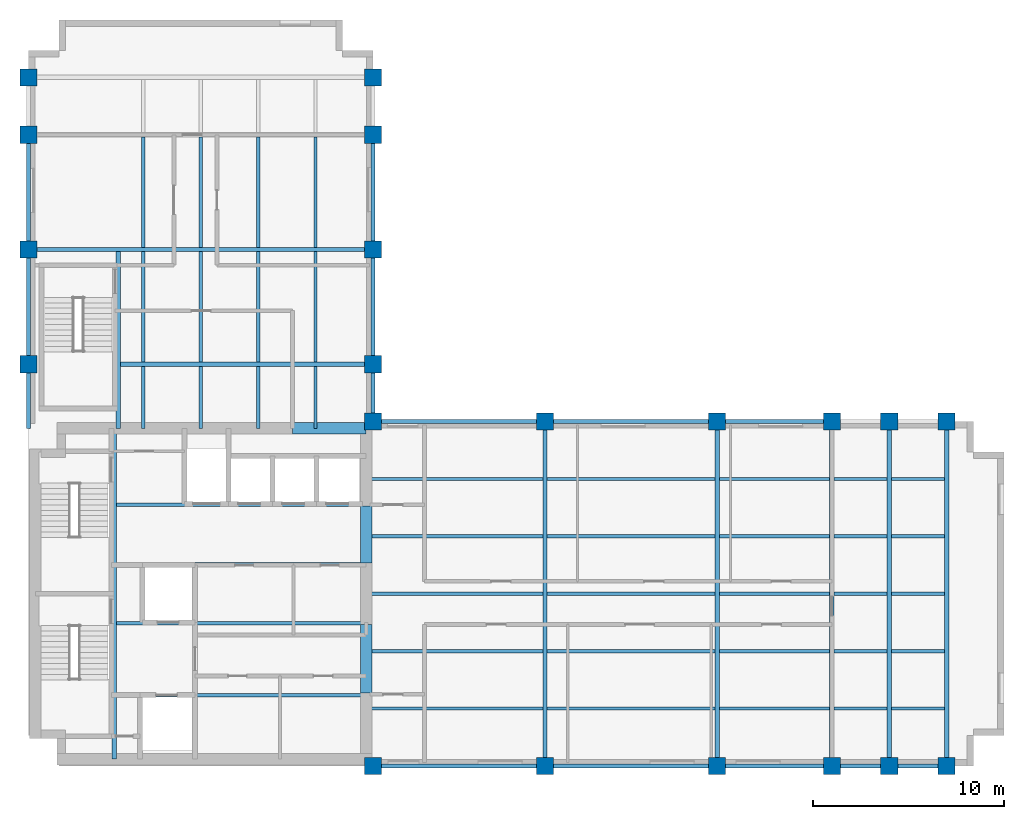
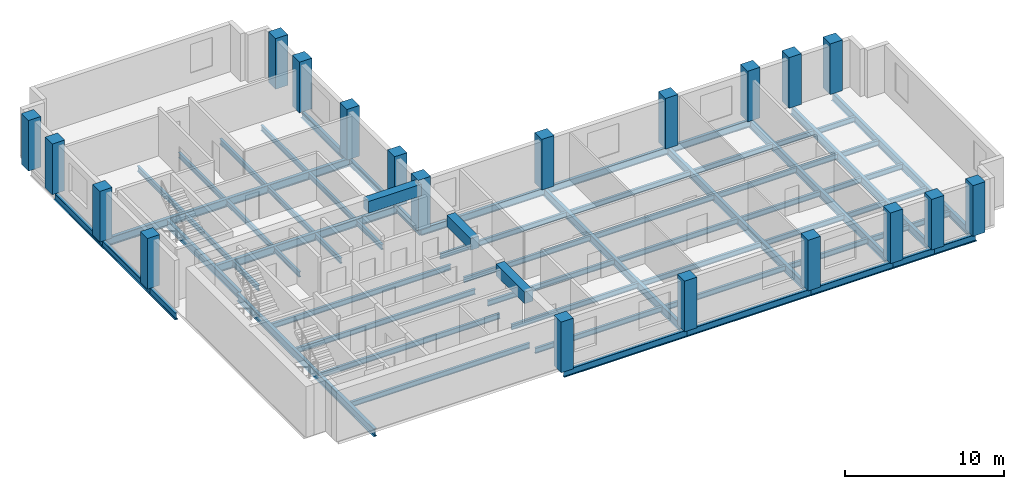
# One storey, part 1 of 6: 67 beams, 20 columns.
"""IFC4 building model written with IfcOpenShell, lengths in metres."""

from ifc_helpers import new_model, si_unit, direction, frame, origin, origin_2d, place, context, subcontext, project, spatial, rectangle, i_section, extrude, material, material_profile, profile_set, type_object, element, save


model = new_model("IFC4")

# Units and contexts
model_context = context("Model", 3, precision=1e-05, world=origin(), true_north=direction((0.0, 1.0)))
body_context = subcontext(model_context, "Body", "Model", "MODEL_VIEW")
ifc_project = project(units=[si_unit("LENGTHUNIT", "METRE"), si_unit("AREAUNIT", "SQUARE_METRE"), si_unit("VOLUMEUNIT", "CUBIC_METRE"), si_unit("PLANEANGLEUNIT", "RADIAN"), si_unit("MASSUNIT", "GRAM", prefix="KILO")], contexts=[model_context])

# Site, building, storey
site_placement = place(None, origin())
site = spatial("IfcSite", under=ifc_project, at=site_placement, CompositionType="ELEMENT")
building_placement = place(site_placement, origin())
building = spatial("IfcBuilding", under=site, at=building_placement, Name="Mawjdan Bourse Tower", CompositionType="ELEMENT")
storey_placement = place(building_placement, frame((0.0, 0.0, 219.0)))
storey = spatial("IfcBuildingStorey", under=building, at=storey_placement, Name="L53", CompositionType="ELEMENT", Elevation=219.0)

# Columns
ifc_material_1 = material(Name="Concrete C70/85", Category="concrete")
ifc_material_profile_1 = material_profile(ifc_material_1, rectangle(XDim=0.89990234375, YDim=0.89990234375, at=origin_2d()), Name="RC900X900")
ifc_profile_set_1 = profile_set([ifc_material_profile_1], Name="Concrete C70/85")
column_type = type_object("IfcColumnType", Name="COL-RC900X900", PredefinedType="COLUMN", material=ifc_profile_set_1)
for number, where, z_axis, x_axis, name in (
    (1, (24.0, 3.0, 0.0), (0.0, 0.0, 1.0), (1.0, 0.0, 0.0), "L53 Structural Column C-X240-Y30"),
    (2, (24.0, 21.0, 0.0), (0.0, 0.0, 1.0), (1.0, 0.0, 0.0), "L53 Structural Column C-X240-Y210"),
    (3, (33.0, 3.0, 0.0), (0.0, 0.0, 1.0), (1.0, 0.0, 0.0), "L53 Structural Column C-X330-Y30"),
    (4, (33.0, 21.0, 0.0), (0.0, 0.0, 1.0), (1.0, 0.0, 0.0), "L53 Structural Column C-X330-Y210"),
    (5, (42.0, 3.0, 0.0), (0.0, 0.0, 1.0), (1.0, 0.0, 0.0), "L53 Structural Column C-X420-Y30"),
    (6, (42.0, 21.0, 0.0), (0.0, 0.0, 1.0), (1.0, 0.0, 0.0), "L53 Structural Column C-X420-Y210"),
    (7, (48.0, 3.0, 0.0), (0.0, 0.0, 1.0), (1.0, 0.0, 0.0), "L53 Structural Column C-X480-Y30"),
    (8, (48.0, 21.0, 0.0), (0.0, 0.0, 1.0), (1.0, 0.0, 0.0), "L53 Structural Column C-X480-Y210"),
    (9, (51.0, 3.0, 0.0), (0.0, 0.0, 1.0), (1.0, 0.0, 0.0), "L53 Structural Column C-X510-Y30"),
    (10, (51.0, 21.0, 0.0), (0.0, 0.0, 1.0), (1.0, 0.0, 0.0), "L53 Structural Column C-X510-Y210"),
    (11, (54.0, 3.0, 0.0), (0.0, 0.0, 1.0), (1.0, 0.0, 0.0), "L53 Structural Column C-X540-Y30"),
    (12, (54.0, 21.0, 0.0), (0.0, 0.0, 1.0), (1.0, 0.0, 0.0), "L53 Structural Column C-X540-Y210"),
    (13, (6.0, 24.0, 0.0), (0.0, 0.0, 1.0), (1.0, 0.0, 0.0), "L53 Structural Column C-X60-Y240"),
    (14, (24.0, 24.0, 0.0), (0.0, 0.0, 1.0), (1.0, 0.0, 0.0), "L53 Structural Column C-X240-Y240"),
    (15, (6.0, 30.0, 0.0), (0.0, 0.0, 1.0), (1.0, 0.0, 0.0), "L53 Structural Column C-X60-Y300"),
    (16, (24.0, 30.0, 0.0), (0.0, 0.0, 1.0), (1.0, 0.0, 0.0), "L53 Structural Column C-X240-Y300"),
    (17, (6.0, 36.0, 0.0), (0.0, 0.0, 1.0), (1.0, 0.0, 0.0), "L53 Structural Column C-X60-Y360"),
    (18, (24.0, 36.0, 0.0), (0.0, 0.0, 1.0), (1.0, 0.0, 0.0), "L53 Structural Column C-X240-Y360"),
    (19, (6.0, 39.0, 0.0), (0.0, 0.0, 1.0), (1.0, 0.0, 0.0), "L53 Structural Column C-X60-Y390"),
    (20, (24.0, 39.0, 0.0), (0.0, 0.0, 1.0), (1.0, 0.0, 0.0), "L53 Structural Column C-X240-Y390"),
):
    element("IfcColumn", number, at=place(storey_placement, frame(where, z_axis=z_axis, x_axis=x_axis)), inside=storey, type_object=column_type, Name=name, PredefinedType="COLUMN", context=body_context, shape_type="SweptSolid", body=[
        extrude(rectangle(XDim=0.89990234375, YDim=0.89990234375, at=origin_2d()), origin(), (0.0, 0.0, 1.0), 3.89990234375),
    ])

# Beams
ifc_material_2 = material(Name="Structural Steel S355", Category="steel")
ifc_material_profile_2 = material_profile(ifc_material_2, i_section(OverallWidth=0.22998046875, OverallDepth=0.616943359375, WebThickness=0.01318359375, FlangeThickness=0.022216796875, FilletRadius=0.017822265625, at=origin_2d()), Name="W24X94")
ifc_profile_set_2 = profile_set([ifc_material_profile_2], Name="Structural Steel S355")
beam_type_1 = type_object("IfcBeamType", Name="GRD-W24X94", PredefinedType="BEAM", material=ifc_profile_set_2)
beam_1_placement = place(storey_placement, frame((10.47998046875, 3.35009765625, -0.508544921875), z_axis=(0.0, 1.0, 0.0), x_axis=(-1.0, 0.0, 0.0)))
element("IfcBeam", 21, at=beam_1_placement, inside=storey, type_object=beam_type_1, Name="L53 Core Stair Trimmer Girder 001", PredefinedType="BEAM", context=body_context, shape_type="SweptSolid", body=[
    extrude(i_section(OverallWidth=0.22998046875, OverallDepth=0.616943359375, WebThickness=0.01318359375, FlangeThickness=0.022216796875, FilletRadius=0.017822265625, at=origin_2d()), origin(), (0.0, 0.0, 1.0), 17.2998046875),
])
for number, where, z_axis, x_axis, name in (
    (22, (33.0, 3.0, -0.508544921875), (0.0, 1.0, 0.0), (-1.0, 0.0, 0.0), "L53 East Wing Clear-Span Girder 002"),
    (23, (42.0, 3.0, -0.508544921875), (0.0, 1.0, 0.0), (-1.0, 0.0, 0.0), "L53 East Wing Clear-Span Girder 003"),
    (24, (48.0, 3.0, -0.508544921875), (0.0, 1.0, 0.0), (-1.0, 0.0, 0.0), "L53 East Wing Clear-Span Girder 004"),
    (25, (51.0, 3.0, -0.508544921875), (0.0, 1.0, 0.0), (-1.0, 0.0, 0.0), "L53 East Wing Clear-Span Girder 005"),
    (26, (54.0, 3.0, -0.508544921875), (0.0, 1.0, 0.0), (-1.0, 0.0, 0.0), "L53 East Wing Clear-Span Girder 006"),
):
    element("IfcBeam", number, at=place(storey_placement, frame(where, z_axis=z_axis, x_axis=x_axis)), inside=storey, type_object=beam_type_1, Name=name, PredefinedType="BEAM", context=body_context, shape_type="SweptSolid", body=[
        extrude(i_section(OverallWidth=0.22998046875, OverallDepth=0.616943359375, WebThickness=0.01318359375, FlangeThickness=0.022216796875, FilletRadius=0.017822265625, at=origin_2d()), origin(), (0.0, 0.0, 1.0), 18.0),
    ])
beam_2_placement = place(storey_placement, frame((10.679931640625, 20.64990234375, -0.508544921875), z_axis=(0.0, 1.0, 0.0), x_axis=(-1.0, 0.0, 0.0)))
element("IfcBeam", 27, at=beam_2_placement, inside=storey, type_object=beam_type_1, Name="L53 North Wing Stair Trimmer Girder 046", PredefinedType="BEAM", context=body_context, shape_type="SweptSolid", body=[
    extrude(i_section(OverallWidth=0.22998046875, OverallDepth=0.616943359375, WebThickness=0.01318359375, FlangeThickness=0.022216796875, FilletRadius=0.017822265625, at=origin_2d()), origin(), (0.0, 0.0, 1.0), 9.237060546875),
])
beam_3_placement = place(storey_placement, frame((10.79296875, 24.0, -0.508544921875), z_axis=(1.0, 0.0, 0.0), x_axis=(0.0, 1.0, 0.0)))
element("IfcBeam", 28, at=beam_3_placement, inside=storey, type_object=beam_type_1, Name="L53 North Wing Clear-Span Girder 047", PredefinedType="BEAM", context=body_context, shape_type="SweptSolid", body=[
    extrude(i_section(OverallWidth=0.22998046875, OverallDepth=0.616943359375, WebThickness=0.01318359375, FlangeThickness=0.022216796875, FilletRadius=0.017822265625, at=origin_2d()), origin(), (0.0, 0.0, 1.0), 13.20703125),
])
beam_4_placement = place(storey_placement, frame((6.0, 30.0, -0.508544921875), z_axis=(1.0, 0.0, 0.0), x_axis=(0.0, 1.0, 0.0)))
element("IfcBeam", 29, at=beam_4_placement, inside=storey, type_object=beam_type_1, Name="L53 North Wing Clear-Span Girder 048", PredefinedType="BEAM", context=body_context, shape_type="SweptSolid", body=[
    extrude(i_section(OverallWidth=0.22998046875, OverallDepth=0.616943359375, WebThickness=0.01318359375, FlangeThickness=0.022216796875, FilletRadius=0.017822265625, at=origin_2d()), origin(), (0.0, 0.0, 1.0), 18.0),
])
ifc_material_profile_3 = material_profile(ifc_material_2, i_section(OverallWidth=0.177978515625, OverallDepth=0.406982421875, WebThickness=0.0078125, FlangeThickness=0.0126953125, FilletRadius=0.01025390625, at=origin_2d()), Name="W16X40")
ifc_profile_set_3 = profile_set([ifc_material_profile_3], Name="Structural Steel S355")
beam_type_2 = type_object("IfcBeamType", Name="JST-W16X40", PredefinedType="JOIST", material=ifc_profile_set_3)
beam_5_placement = place(storey_placement, frame((23.64990234375, 6.0, -0.403564453125), z_axis=(1.0, 0.0, 0.0), x_axis=(0.0, 1.0, 0.0)))
element("IfcBeam", 30, at=beam_5_placement, inside=storey, type_object=beam_type_2, Name="L53 East Wing Composite Joist 017", PredefinedType="JOIST", context=body_context, shape_type="SweptSolid", body=[
    extrude(i_section(OverallWidth=0.177978515625, OverallDepth=0.406982421875, WebThickness=0.0078125, FlangeThickness=0.0126953125, FilletRadius=0.01025390625, at=origin_2d()), origin(), (0.0, 0.0, 1.0), 9.237060546875),
])
beam_6_placement = place(storey_placement, frame((33.113037109375, 6.0, -0.403564453125), z_axis=(1.0, 0.0, 0.0), x_axis=(0.0, 1.0, 0.0)))
element("IfcBeam", 31, at=beam_6_placement, inside=storey, type_object=beam_type_2, Name="L53 East Wing Composite Joist 018", PredefinedType="JOIST", context=body_context, shape_type="SweptSolid", body=[
    extrude(i_section(OverallWidth=0.177978515625, OverallDepth=0.406982421875, WebThickness=0.0078125, FlangeThickness=0.0126953125, FilletRadius=0.01025390625, at=origin_2d()), origin(), (0.0, 0.0, 1.0), 8.77392578125),
])
beam_7_placement = place(storey_placement, frame((42.113037109375, 6.0, -0.403564453125), z_axis=(1.0, 0.0, 0.0), x_axis=(0.0, 1.0, 0.0)))
element("IfcBeam", 32, at=beam_7_placement, inside=storey, type_object=beam_type_2, Name="L53 East Wing Composite Joist 019", PredefinedType="JOIST", context=body_context, shape_type="SweptSolid", body=[
    extrude(i_section(OverallWidth=0.177978515625, OverallDepth=0.406982421875, WebThickness=0.0078125, FlangeThickness=0.0126953125, FilletRadius=0.01025390625, at=origin_2d()), origin(), (0.0, 0.0, 1.0), 5.77392578125),
])
for number, where, z_axis, x_axis, name in (
    (33, (48.113037109375, 6.0, -0.403564453125), (1.0, 0.0, 0.0), (0.0, 1.0, 0.0), "L53 East Wing Composite Joist 020"),
    (34, (51.113037109375, 6.0, -0.403564453125), (1.0, 0.0, 0.0), (0.0, 1.0, 0.0), "L53 East Wing Composite Joist 021"),
):
    element("IfcBeam", number, at=place(storey_placement, frame(where, z_axis=z_axis, x_axis=x_axis)), inside=storey, type_object=beam_type_2, Name=name, PredefinedType="JOIST", context=body_context, shape_type="SweptSolid", body=[
        extrude(i_section(OverallWidth=0.177978515625, OverallDepth=0.406982421875, WebThickness=0.0078125, FlangeThickness=0.0126953125, FilletRadius=0.01025390625, at=origin_2d()), origin(), (0.0, 0.0, 1.0), 2.77392578125),
    ])
beam_8_placement = place(storey_placement, frame((23.64990234375, 9.0, -0.403564453125), z_axis=(1.0, 0.0, 0.0), x_axis=(0.0, 1.0, 0.0)))
element("IfcBeam", 35, at=beam_8_placement, inside=storey, type_object=beam_type_2, Name="L53 East Wing Composite Joist 022", PredefinedType="JOIST", context=body_context, shape_type="SweptSolid", body=[
    extrude(i_section(OverallWidth=0.177978515625, OverallDepth=0.406982421875, WebThickness=0.0078125, FlangeThickness=0.0126953125, FilletRadius=0.01025390625, at=origin_2d()), origin(), (0.0, 0.0, 1.0), 9.237060546875),
])
beam_9_placement = place(storey_placement, frame((33.113037109375, 9.0, -0.403564453125), z_axis=(1.0, 0.0, 0.0), x_axis=(0.0, 1.0, 0.0)))
element("IfcBeam", 36, at=beam_9_placement, inside=storey, type_object=beam_type_2, Name="L53 East Wing Composite Joist 023", PredefinedType="JOIST", context=body_context, shape_type="SweptSolid", body=[
    extrude(i_section(OverallWidth=0.177978515625, OverallDepth=0.406982421875, WebThickness=0.0078125, FlangeThickness=0.0126953125, FilletRadius=0.01025390625, at=origin_2d()), origin(), (0.0, 0.0, 1.0), 8.77392578125),
])
beam_10_placement = place(storey_placement, frame((42.113037109375, 9.0, -0.403564453125), z_axis=(1.0, 0.0, 0.0), x_axis=(0.0, 1.0, 0.0)))
element("IfcBeam", 37, at=beam_10_placement, inside=storey, type_object=beam_type_2, Name="L53 East Wing Composite Joist 024", PredefinedType="JOIST", context=body_context, shape_type="SweptSolid", body=[
    extrude(i_section(OverallWidth=0.177978515625, OverallDepth=0.406982421875, WebThickness=0.0078125, FlangeThickness=0.0126953125, FilletRadius=0.01025390625, at=origin_2d()), origin(), (0.0, 0.0, 1.0), 5.77392578125),
])
for number, where, z_axis, x_axis, name in (
    (38, (48.113037109375, 9.0, -0.403564453125), (1.0, 0.0, 0.0), (0.0, 1.0, 0.0), "L53 East Wing Composite Joist 025"),
    (39, (51.113037109375, 9.0, -0.403564453125), (1.0, 0.0, 0.0), (0.0, 1.0, 0.0), "L53 East Wing Composite Joist 026"),
):
    element("IfcBeam", number, at=place(storey_placement, frame(where, z_axis=z_axis, x_axis=x_axis)), inside=storey, type_object=beam_type_2, Name=name, PredefinedType="JOIST", context=body_context, shape_type="SweptSolid", body=[
        extrude(i_section(OverallWidth=0.177978515625, OverallDepth=0.406982421875, WebThickness=0.0078125, FlangeThickness=0.0126953125, FilletRadius=0.01025390625, at=origin_2d()), origin(), (0.0, 0.0, 1.0), 2.77392578125),
    ])
beam_11_placement = place(storey_placement, frame((23.64990234375, 12.0, -0.403564453125), z_axis=(1.0, 0.0, 0.0), x_axis=(0.0, 1.0, 0.0)))
element("IfcBeam", 40, at=beam_11_placement, inside=storey, type_object=beam_type_2, Name="L53 East Wing Composite Joist 027", PredefinedType="JOIST", context=body_context, shape_type="SweptSolid", body=[
    extrude(i_section(OverallWidth=0.177978515625, OverallDepth=0.406982421875, WebThickness=0.0078125, FlangeThickness=0.0126953125, FilletRadius=0.01025390625, at=origin_2d()), origin(), (0.0, 0.0, 1.0), 9.237060546875),
])
beam_12_placement = place(storey_placement, frame((33.113037109375, 12.0, -0.403564453125), z_axis=(1.0, 0.0, 0.0), x_axis=(0.0, 1.0, 0.0)))
element("IfcBeam", 41, at=beam_12_placement, inside=storey, type_object=beam_type_2, Name="L53 East Wing Composite Joist 028", PredefinedType="JOIST", context=body_context, shape_type="SweptSolid", body=[
    extrude(i_section(OverallWidth=0.177978515625, OverallDepth=0.406982421875, WebThickness=0.0078125, FlangeThickness=0.0126953125, FilletRadius=0.01025390625, at=origin_2d()), origin(), (0.0, 0.0, 1.0), 8.77392578125),
])
beam_13_placement = place(storey_placement, frame((42.113037109375, 12.0, -0.403564453125), z_axis=(1.0, 0.0, 0.0), x_axis=(0.0, 1.0, 0.0)))
element("IfcBeam", 42, at=beam_13_placement, inside=storey, type_object=beam_type_2, Name="L53 East Wing Composite Joist 029", PredefinedType="JOIST", context=body_context, shape_type="SweptSolid", body=[
    extrude(i_section(OverallWidth=0.177978515625, OverallDepth=0.406982421875, WebThickness=0.0078125, FlangeThickness=0.0126953125, FilletRadius=0.01025390625, at=origin_2d()), origin(), (0.0, 0.0, 1.0), 5.77392578125),
])
for number, where, z_axis, x_axis, name in (
    (43, (48.113037109375, 12.0, -0.403564453125), (1.0, 0.0, 0.0), (0.0, 1.0, 0.0), "L53 East Wing Composite Joist 030"),
    (44, (51.113037109375, 12.0, -0.403564453125), (1.0, 0.0, 0.0), (0.0, 1.0, 0.0), "L53 East Wing Composite Joist 031"),
):
    element("IfcBeam", number, at=place(storey_placement, frame(where, z_axis=z_axis, x_axis=x_axis)), inside=storey, type_object=beam_type_2, Name=name, PredefinedType="JOIST", context=body_context, shape_type="SweptSolid", body=[
        extrude(i_section(OverallWidth=0.177978515625, OverallDepth=0.406982421875, WebThickness=0.0078125, FlangeThickness=0.0126953125, FilletRadius=0.01025390625, at=origin_2d()), origin(), (0.0, 0.0, 1.0), 2.77392578125),
    ])
beam_14_placement = place(storey_placement, frame((23.64990234375, 15.0, -0.403564453125), z_axis=(1.0, 0.0, 0.0), x_axis=(0.0, 1.0, 0.0)))
element("IfcBeam", 45, at=beam_14_placement, inside=storey, type_object=beam_type_2, Name="L53 East Wing Composite Joist 032", PredefinedType="JOIST", context=body_context, shape_type="SweptSolid", body=[
    extrude(i_section(OverallWidth=0.177978515625, OverallDepth=0.406982421875, WebThickness=0.0078125, FlangeThickness=0.0126953125, FilletRadius=0.01025390625, at=origin_2d()), origin(), (0.0, 0.0, 1.0), 9.237060546875),
])
beam_15_placement = place(storey_placement, frame((33.113037109375, 15.0, -0.403564453125), z_axis=(1.0, 0.0, 0.0), x_axis=(0.0, 1.0, 0.0)))
element("IfcBeam", 46, at=beam_15_placement, inside=storey, type_object=beam_type_2, Name="L53 East Wing Composite Joist 033", PredefinedType="JOIST", context=body_context, shape_type="SweptSolid", body=[
    extrude(i_section(OverallWidth=0.177978515625, OverallDepth=0.406982421875, WebThickness=0.0078125, FlangeThickness=0.0126953125, FilletRadius=0.01025390625, at=origin_2d()), origin(), (0.0, 0.0, 1.0), 8.77392578125),
])
beam_16_placement = place(storey_placement, frame((42.113037109375, 15.0, -0.403564453125), z_axis=(1.0, 0.0, 0.0), x_axis=(0.0, 1.0, 0.0)))
element("IfcBeam", 47, at=beam_16_placement, inside=storey, type_object=beam_type_2, Name="L53 East Wing Composite Joist 034", PredefinedType="JOIST", context=body_context, shape_type="SweptSolid", body=[
    extrude(i_section(OverallWidth=0.177978515625, OverallDepth=0.406982421875, WebThickness=0.0078125, FlangeThickness=0.0126953125, FilletRadius=0.01025390625, at=origin_2d()), origin(), (0.0, 0.0, 1.0), 5.77392578125),
])
for number, where, z_axis, x_axis, name in (
    (48, (48.113037109375, 15.0, -0.403564453125), (1.0, 0.0, 0.0), (0.0, 1.0, 0.0), "L53 East Wing Composite Joist 035"),
    (49, (51.113037109375, 15.0, -0.403564453125), (1.0, 0.0, 0.0), (0.0, 1.0, 0.0), "L53 East Wing Composite Joist 036"),
):
    element("IfcBeam", number, at=place(storey_placement, frame(where, z_axis=z_axis, x_axis=x_axis)), inside=storey, type_object=beam_type_2, Name=name, PredefinedType="JOIST", context=body_context, shape_type="SweptSolid", body=[
        extrude(i_section(OverallWidth=0.177978515625, OverallDepth=0.406982421875, WebThickness=0.0078125, FlangeThickness=0.0126953125, FilletRadius=0.01025390625, at=origin_2d()), origin(), (0.0, 0.0, 1.0), 2.77392578125),
    ])
beam_17_placement = place(storey_placement, frame((23.64990234375, 18.0, -0.403564453125), z_axis=(1.0, 0.0, 0.0), x_axis=(0.0, 1.0, 0.0)))
element("IfcBeam", 50, at=beam_17_placement, inside=storey, type_object=beam_type_2, Name="L53 East Wing Composite Joist 037", PredefinedType="JOIST", context=body_context, shape_type="SweptSolid", body=[
    extrude(i_section(OverallWidth=0.177978515625, OverallDepth=0.406982421875, WebThickness=0.0078125, FlangeThickness=0.0126953125, FilletRadius=0.01025390625, at=origin_2d()), origin(), (0.0, 0.0, 1.0), 9.237060546875),
])
beam_18_placement = place(storey_placement, frame((33.113037109375, 18.0, -0.403564453125), z_axis=(1.0, 0.0, 0.0), x_axis=(0.0, 1.0, 0.0)))
element("IfcBeam", 51, at=beam_18_placement, inside=storey, type_object=beam_type_2, Name="L53 East Wing Composite Joist 038", PredefinedType="JOIST", context=body_context, shape_type="SweptSolid", body=[
    extrude(i_section(OverallWidth=0.177978515625, OverallDepth=0.406982421875, WebThickness=0.0078125, FlangeThickness=0.0126953125, FilletRadius=0.01025390625, at=origin_2d()), origin(), (0.0, 0.0, 1.0), 8.77392578125),
])
beam_19_placement = place(storey_placement, frame((42.113037109375, 18.0, -0.403564453125), z_axis=(1.0, 0.0, 0.0), x_axis=(0.0, 1.0, 0.0)))
element("IfcBeam", 52, at=beam_19_placement, inside=storey, type_object=beam_type_2, Name="L53 East Wing Composite Joist 039", PredefinedType="JOIST", context=body_context, shape_type="SweptSolid", body=[
    extrude(i_section(OverallWidth=0.177978515625, OverallDepth=0.406982421875, WebThickness=0.0078125, FlangeThickness=0.0126953125, FilletRadius=0.01025390625, at=origin_2d()), origin(), (0.0, 0.0, 1.0), 5.77392578125),
])
for number, where, z_axis, x_axis, name in (
    (53, (48.113037109375, 18.0, -0.403564453125), (1.0, 0.0, 0.0), (0.0, 1.0, 0.0), "L53 East Wing Composite Joist 040"),
    (54, (51.113037109375, 18.0, -0.403564453125), (1.0, 0.0, 0.0), (0.0, 1.0, 0.0), "L53 East Wing Composite Joist 041"),
):
    element("IfcBeam", number, at=place(storey_placement, frame(where, z_axis=z_axis, x_axis=x_axis)), inside=storey, type_object=beam_type_2, Name=name, PredefinedType="JOIST", context=body_context, shape_type="SweptSolid", body=[
        extrude(i_section(OverallWidth=0.177978515625, OverallDepth=0.406982421875, WebThickness=0.0078125, FlangeThickness=0.0126953125, FilletRadius=0.01025390625, at=origin_2d()), origin(), (0.0, 0.0, 1.0), 2.77392578125),
    ])
for number, where, z_axis, x_axis, name in (
    (55, (10.593017578125, 6.699951171875, -0.403564453125), (1.0, 0.0, 0.0), (0.0, 1.0, 0.0), "L53 Core Floor Joist 042"),
    (56, (10.593017578125, 10.449951171875, -0.403564453125), (1.0, 0.0, 0.0), (0.0, 1.0, 0.0), "L53 Core Floor Joist 043"),
    (57, (10.593017578125, 13.550048828125, -0.403564453125), (1.0, 0.0, 0.0), (0.0, 1.0, 0.0), "L53 Core Floor Joist 044"),
    (58, (10.593017578125, 16.64990234375, -0.403564453125), (1.0, 0.0, 0.0), (0.0, 1.0, 0.0), "L53 Core Floor Joist 045"),
):
    element("IfcBeam", number, at=place(storey_placement, frame(where, z_axis=z_axis, x_axis=x_axis)), inside=storey, type_object=beam_type_2, Name=name, PredefinedType="JOIST", context=body_context, shape_type="SweptSolid", body=[
        extrude(i_section(OverallWidth=0.177978515625, OverallDepth=0.406982421875, WebThickness=0.0078125, FlangeThickness=0.0126953125, FilletRadius=0.01025390625, at=origin_2d()), origin(), (0.0, 0.0, 1.0), 13.056884765625),
    ])
beam_20_placement = place(storey_placement, frame((12.0, 20.64990234375, -0.403564453125), z_axis=(0.0, 1.0, 0.0), x_axis=(-1.0, 0.0, 0.0)))
element("IfcBeam", 59, at=beam_20_placement, inside=storey, type_object=beam_type_2, Name="L53 North Wing Composite Joist 059", PredefinedType="JOIST", context=body_context, shape_type="SweptSolid", body=[
    extrude(i_section(OverallWidth=0.177978515625, OverallDepth=0.406982421875, WebThickness=0.0078125, FlangeThickness=0.0126953125, FilletRadius=0.01025390625, at=origin_2d()), origin(), (0.0, 0.0, 1.0), 3.237060546875),
])
for number, where, z_axis, x_axis, name in (
    (60, (12.0, 24.113037109375, -0.403564453125), (0.0, 1.0, 0.0), (-1.0, 0.0, 0.0), "L53 North Wing Composite Joist 060"),
    (61, (12.0, 30.113037109375, -0.403564453125), (0.0, 1.0, 0.0), (-1.0, 0.0, 0.0), "L53 North Wing Composite Joist 061"),
):
    element("IfcBeam", number, at=place(storey_placement, frame(where, z_axis=z_axis, x_axis=x_axis)), inside=storey, type_object=beam_type_2, Name=name, PredefinedType="JOIST", context=body_context, shape_type="SweptSolid", body=[
        extrude(i_section(OverallWidth=0.177978515625, OverallDepth=0.406982421875, WebThickness=0.0078125, FlangeThickness=0.0126953125, FilletRadius=0.01025390625, at=origin_2d()), origin(), (0.0, 0.0, 1.0), 5.77392578125),
    ])
beam_21_placement = place(storey_placement, frame((15.0, 20.64990234375, -0.403564453125), z_axis=(0.0, 1.0, 0.0), x_axis=(-1.0, 0.0, 0.0)))
element("IfcBeam", 62, at=beam_21_placement, inside=storey, type_object=beam_type_2, Name="L53 North Wing Composite Joist 063", PredefinedType="JOIST", context=body_context, shape_type="SweptSolid", body=[
    extrude(i_section(OverallWidth=0.177978515625, OverallDepth=0.406982421875, WebThickness=0.0078125, FlangeThickness=0.0126953125, FilletRadius=0.01025390625, at=origin_2d()), origin(), (0.0, 0.0, 1.0), 3.237060546875),
])
for number, where, z_axis, x_axis, name in (
    (63, (15.0, 24.113037109375, -0.403564453125), (0.0, 1.0, 0.0), (-1.0, 0.0, 0.0), "L53 North Wing Composite Joist 064"),
    (64, (15.0, 30.113037109375, -0.403564453125), (0.0, 1.0, 0.0), (-1.0, 0.0, 0.0), "L53 North Wing Composite Joist 065"),
):
    element("IfcBeam", number, at=place(storey_placement, frame(where, z_axis=z_axis, x_axis=x_axis)), inside=storey, type_object=beam_type_2, Name=name, PredefinedType="JOIST", context=body_context, shape_type="SweptSolid", body=[
        extrude(i_section(OverallWidth=0.177978515625, OverallDepth=0.406982421875, WebThickness=0.0078125, FlangeThickness=0.0126953125, FilletRadius=0.01025390625, at=origin_2d()), origin(), (0.0, 0.0, 1.0), 5.77392578125),
    ])
beam_22_placement = place(storey_placement, frame((18.0, 20.64990234375, -0.403564453125), z_axis=(0.0, 1.0, 0.0), x_axis=(-1.0, 0.0, 0.0)))
element("IfcBeam", 65, at=beam_22_placement, inside=storey, type_object=beam_type_2, Name="L53 North Wing Composite Joist 067", PredefinedType="JOIST", context=body_context, shape_type="SweptSolid", body=[
    extrude(i_section(OverallWidth=0.177978515625, OverallDepth=0.406982421875, WebThickness=0.0078125, FlangeThickness=0.0126953125, FilletRadius=0.01025390625, at=origin_2d()), origin(), (0.0, 0.0, 1.0), 3.237060546875),
])
for number, where, z_axis, x_axis, name in (
    (66, (18.0, 24.113037109375, -0.403564453125), (0.0, 1.0, 0.0), (-1.0, 0.0, 0.0), "L53 North Wing Composite Joist 068"),
    (67, (18.0, 30.113037109375, -0.403564453125), (0.0, 1.0, 0.0), (-1.0, 0.0, 0.0), "L53 North Wing Composite Joist 069"),
):
    element("IfcBeam", number, at=place(storey_placement, frame(where, z_axis=z_axis, x_axis=x_axis)), inside=storey, type_object=beam_type_2, Name=name, PredefinedType="JOIST", context=body_context, shape_type="SweptSolid", body=[
        extrude(i_section(OverallWidth=0.177978515625, OverallDepth=0.406982421875, WebThickness=0.0078125, FlangeThickness=0.0126953125, FilletRadius=0.01025390625, at=origin_2d()), origin(), (0.0, 0.0, 1.0), 5.77392578125),
    ])
beam_23_placement = place(storey_placement, frame((21.0, 20.64990234375, -0.403564453125), z_axis=(0.0, 1.0, 0.0), x_axis=(-1.0, 0.0, 0.0)))
element("IfcBeam", 68, at=beam_23_placement, inside=storey, type_object=beam_type_2, Name="L53 North Wing Composite Joist 071", PredefinedType="JOIST", context=body_context, shape_type="SweptSolid", body=[
    extrude(i_section(OverallWidth=0.177978515625, OverallDepth=0.406982421875, WebThickness=0.0078125, FlangeThickness=0.0126953125, FilletRadius=0.01025390625, at=origin_2d()), origin(), (0.0, 0.0, 1.0), 3.237060546875),
])
for number, where, z_axis, x_axis, name in (
    (69, (21.0, 24.113037109375, -0.403564453125), (0.0, 1.0, 0.0), (-1.0, 0.0, 0.0), "L53 North Wing Composite Joist 072"),
    (70, (21.0, 30.113037109375, -0.403564453125), (0.0, 1.0, 0.0), (-1.0, 0.0, 0.0), "L53 North Wing Composite Joist 073"),
):
    element("IfcBeam", number, at=place(storey_placement, frame(where, z_axis=z_axis, x_axis=x_axis)), inside=storey, type_object=beam_type_2, Name=name, PredefinedType="JOIST", context=body_context, shape_type="SweptSolid", body=[
        extrude(i_section(OverallWidth=0.177978515625, OverallDepth=0.406982421875, WebThickness=0.0078125, FlangeThickness=0.0126953125, FilletRadius=0.01025390625, at=origin_2d()), origin(), (0.0, 0.0, 1.0), 5.77392578125),
    ])
ifc_material_profile_4 = material_profile(ifc_material_1, rectangle(XDim=0.60009765625, YDim=0.89990234375, at=origin_2d()), Name="RCB600X900")
ifc_profile_set_4 = profile_set([ifc_material_profile_4], Name="Concrete C70/85")
beam_type_3 = type_object("IfcBeamType", Name="LNT-RCB600X900", PredefinedType="LINTEL", material=ifc_profile_set_4)
beam_24_placement = place(storey_placement, frame((23.64990234375, 6.800048828125, 3.25), z_axis=(0.0, 1.0, 0.0), x_axis=(-1.0, 0.0, 0.0)))
element("IfcBeam", 71, at=beam_24_placement, inside=storey, type_object=beam_type_3, Name="L53 Coupled Core Lintel CB-E1", PredefinedType="LINTEL", context=body_context, shape_type="SweptSolid", body=[
    extrude(rectangle(XDim=0.60009765625, YDim=0.89990234375, at=origin_2d()), origin(), (0.0, 0.0, 1.0), 3.599853515625),
])
beam_25_placement = place(storey_placement, frame((23.64990234375, 13.60009765625, 3.25), z_axis=(0.0, 1.0, 0.0), x_axis=(-1.0, 0.0, 0.0)))
element("IfcBeam", 72, at=beam_25_placement, inside=storey, type_object=beam_type_3, Name="L53 Coupled Core Lintel CB-E2", PredefinedType="LINTEL", context=body_context, shape_type="SweptSolid", body=[
    extrude(rectangle(XDim=0.60009765625, YDim=0.89990234375, at=origin_2d()), origin(), (0.0, 0.0, 1.0), 3.0),
])
beam_26_placement = place(storey_placement, frame((19.800048828125, 20.64990234375, 3.25), z_axis=(1.0, 0.0, 0.0), x_axis=(0.0, 1.0, 0.0)))
element("IfcBeam", 73, at=beam_26_placement, inside=storey, type_object=beam_type_3, Name="L53 Coupled Core Lintel CB-N1", PredefinedType="LINTEL", context=body_context, shape_type="SweptSolid", body=[
    extrude(rectangle(XDim=0.60009765625, YDim=0.89990234375, at=origin_2d()), origin(), (0.0, 0.0, 1.0), 3.849853515625),
])
ifc_material_profile_5 = material_profile(ifc_material_2, i_section(OverallWidth=0.2099609375, OverallDepth=0.537109375, WebThickness=0.010986328125, FlangeThickness=0.017333984375, FilletRadius=0.013916015625, at=origin_2d()), Name="W21X68")
ifc_profile_set_5 = profile_set([ifc_material_profile_5], Name="Structural Steel S355")
beam_type_4 = type_object("IfcBeamType", Name="SPN-W21X68", PredefinedType="SPANDREL", material=ifc_profile_set_5)
for number, where, z_axis, x_axis, name in (
    (74, (24.0, 3.0, -0.468505859375), (1.0, 0.0, 0.0), (0.0, 1.0, 0.0), "L53 Perimeter Masonry-Shelf Spandrel 007"),
    (75, (33.0, 3.0, -0.468505859375), (1.0, 0.0, 0.0), (0.0, 1.0, 0.0), "L53 Perimeter Masonry-Shelf Spandrel 008"),
):
    element("IfcBeam", number, at=place(storey_placement, frame(where, z_axis=z_axis, x_axis=x_axis)), inside=storey, type_object=beam_type_4, Name=name, PredefinedType="SPANDREL", context=body_context, shape_type="SweptSolid", body=[
        extrude(i_section(OverallWidth=0.2099609375, OverallDepth=0.537109375, WebThickness=0.010986328125, FlangeThickness=0.017333984375, FilletRadius=0.013916015625, at=origin_2d()), origin(), (0.0, 0.0, 1.0), 9.0),
    ])
beam_27_placement = place(storey_placement, frame((42.0, 3.0, -0.468505859375), z_axis=(1.0, 0.0, 0.0), x_axis=(0.0, 1.0, 0.0)))
element("IfcBeam", 76, at=beam_27_placement, inside=storey, type_object=beam_type_4, Name="L53 Perimeter Masonry-Shelf Spandrel 009", PredefinedType="SPANDREL", context=body_context, shape_type="SweptSolid", body=[
    extrude(i_section(OverallWidth=0.2099609375, OverallDepth=0.537109375, WebThickness=0.010986328125, FlangeThickness=0.017333984375, FilletRadius=0.013916015625, at=origin_2d()), origin(), (0.0, 0.0, 1.0), 6.0),
])
for number, where, z_axis, x_axis, name in (
    (77, (48.0, 3.0, -0.468505859375), (1.0, 0.0, 0.0), (0.0, 1.0, 0.0), "L53 Perimeter Masonry-Shelf Spandrel 010"),
    (78, (51.0, 3.0, -0.468505859375), (1.0, 0.0, 0.0), (0.0, 1.0, 0.0), "L53 Perimeter Masonry-Shelf Spandrel 011"),
):
    element("IfcBeam", number, at=place(storey_placement, frame(where, z_axis=z_axis, x_axis=x_axis)), inside=storey, type_object=beam_type_4, Name=name, PredefinedType="SPANDREL", context=body_context, shape_type="SweptSolid", body=[
        extrude(i_section(OverallWidth=0.2099609375, OverallDepth=0.537109375, WebThickness=0.010986328125, FlangeThickness=0.017333984375, FilletRadius=0.013916015625, at=origin_2d()), origin(), (0.0, 0.0, 1.0), 3.0),
    ])
for number, where, z_axis, x_axis, name in (
    (79, (24.0, 21.0, -0.468505859375), (1.0, 0.0, 0.0), (0.0, 1.0, 0.0), "L53 Perimeter Masonry-Shelf Spandrel 012"),
    (80, (33.0, 21.0, -0.468505859375), (1.0, 0.0, 0.0), (0.0, 1.0, 0.0), "L53 Perimeter Masonry-Shelf Spandrel 013"),
):
    element("IfcBeam", number, at=place(storey_placement, frame(where, z_axis=z_axis, x_axis=x_axis)), inside=storey, type_object=beam_type_4, Name=name, PredefinedType="SPANDREL", context=body_context, shape_type="SweptSolid", body=[
        extrude(i_section(OverallWidth=0.2099609375, OverallDepth=0.537109375, WebThickness=0.010986328125, FlangeThickness=0.017333984375, FilletRadius=0.013916015625, at=origin_2d()), origin(), (0.0, 0.0, 1.0), 9.0),
    ])
beam_28_placement = place(storey_placement, frame((42.0, 21.0, -0.468505859375), z_axis=(1.0, 0.0, 0.0), x_axis=(0.0, 1.0, 0.0)))
element("IfcBeam", 81, at=beam_28_placement, inside=storey, type_object=beam_type_4, Name="L53 Perimeter Masonry-Shelf Spandrel 014", PredefinedType="SPANDREL", context=body_context, shape_type="SweptSolid", body=[
    extrude(i_section(OverallWidth=0.2099609375, OverallDepth=0.537109375, WebThickness=0.010986328125, FlangeThickness=0.017333984375, FilletRadius=0.013916015625, at=origin_2d()), origin(), (0.0, 0.0, 1.0), 6.0),
])
beam_29_placement = place(storey_placement, frame((6.0, 20.64990234375, -0.468505859375), z_axis=(0.0, 1.0, 0.0), x_axis=(-1.0, 0.0, 0.0)))
element("IfcBeam", 82, at=beam_29_placement, inside=storey, type_object=beam_type_4, Name="L53 North Wing Spandrel 051", PredefinedType="SPANDREL", context=body_context, shape_type="SweptSolid", body=[
    extrude(i_section(OverallWidth=0.2099609375, OverallDepth=0.537109375, WebThickness=0.010986328125, FlangeThickness=0.017333984375, FilletRadius=0.013916015625, at=origin_2d()), origin(), (0.0, 0.0, 1.0), 3.35009765625),
])
for number, where, z_axis, x_axis, name in (
    (83, (6.0, 24.0, -0.468505859375), (0.0, 1.0, 0.0), (-1.0, 0.0, 0.0), "L53 North Wing Spandrel 052"),
    (84, (6.0, 30.0, -0.468505859375), (0.0, 1.0, 0.0), (-1.0, 0.0, 0.0), "L53 North Wing Spandrel 053"),
):
    element("IfcBeam", number, at=place(storey_placement, frame(where, z_axis=z_axis, x_axis=x_axis)), inside=storey, type_object=beam_type_4, Name=name, PredefinedType="SPANDREL", context=body_context, shape_type="SweptSolid", body=[
        extrude(i_section(OverallWidth=0.2099609375, OverallDepth=0.537109375, WebThickness=0.010986328125, FlangeThickness=0.017333984375, FilletRadius=0.013916015625, at=origin_2d()), origin(), (0.0, 0.0, 1.0), 6.0),
    ])
beam_30_placement = place(storey_placement, frame((24.0, 21.0, -0.468505859375), z_axis=(0.0, 1.0, 0.0), x_axis=(-1.0, 0.0, 0.0)))
element("IfcBeam", 85, at=beam_30_placement, inside=storey, type_object=beam_type_4, Name="L53 North Wing Spandrel 055", PredefinedType="SPANDREL", context=body_context, shape_type="SweptSolid", body=[
    extrude(i_section(OverallWidth=0.2099609375, OverallDepth=0.537109375, WebThickness=0.010986328125, FlangeThickness=0.017333984375, FilletRadius=0.013916015625, at=origin_2d()), origin(), (0.0, 0.0, 1.0), 3.0),
])
for number, where, z_axis, x_axis, name in (
    (86, (24.0, 24.0, -0.468505859375), (0.0, 1.0, 0.0), (-1.0, 0.0, 0.0), "L53 North Wing Spandrel 056"),
    (87, (24.0, 30.0, -0.468505859375), (0.0, 1.0, 0.0), (-1.0, 0.0, 0.0), "L53 North Wing Spandrel 057"),
):
    element("IfcBeam", number, at=place(storey_placement, frame(where, z_axis=z_axis, x_axis=x_axis)), inside=storey, type_object=beam_type_4, Name=name, PredefinedType="SPANDREL", context=body_context, shape_type="SweptSolid", body=[
        extrude(i_section(OverallWidth=0.2099609375, OverallDepth=0.537109375, WebThickness=0.010986328125, FlangeThickness=0.017333984375, FilletRadius=0.013916015625, at=origin_2d()), origin(), (0.0, 0.0, 1.0), 6.0),
    ])

save(model, "model.ifc")
